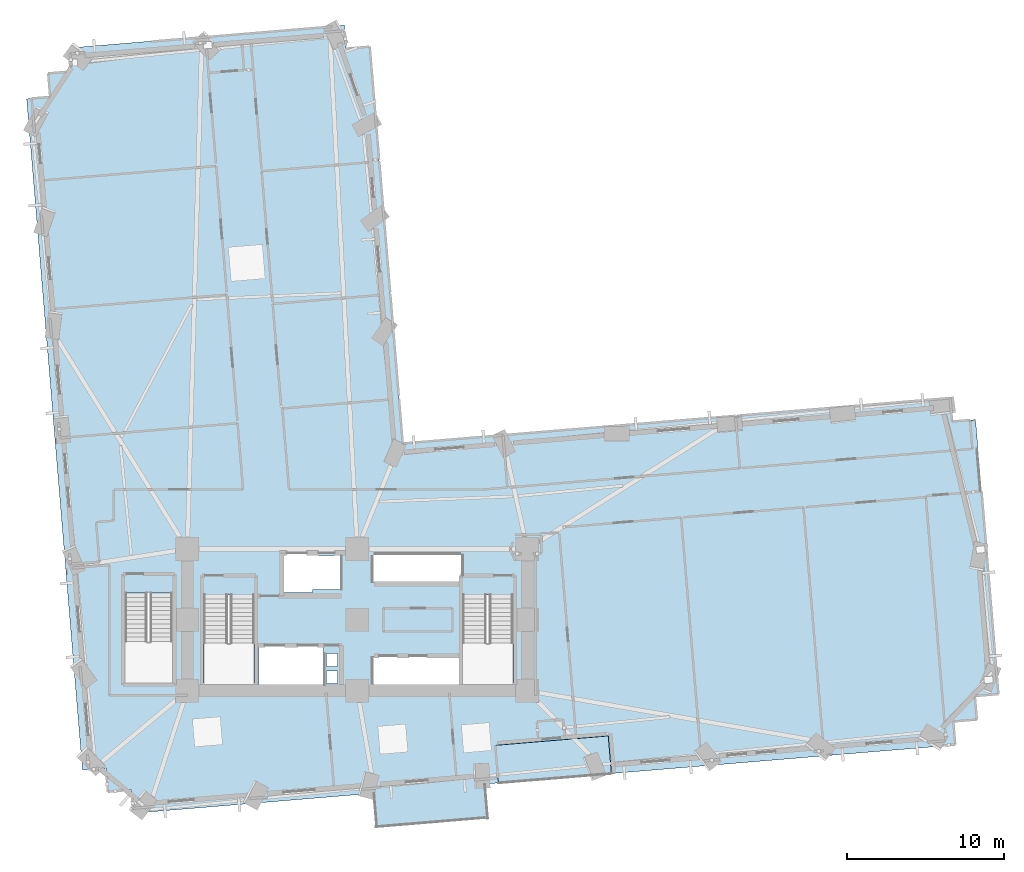
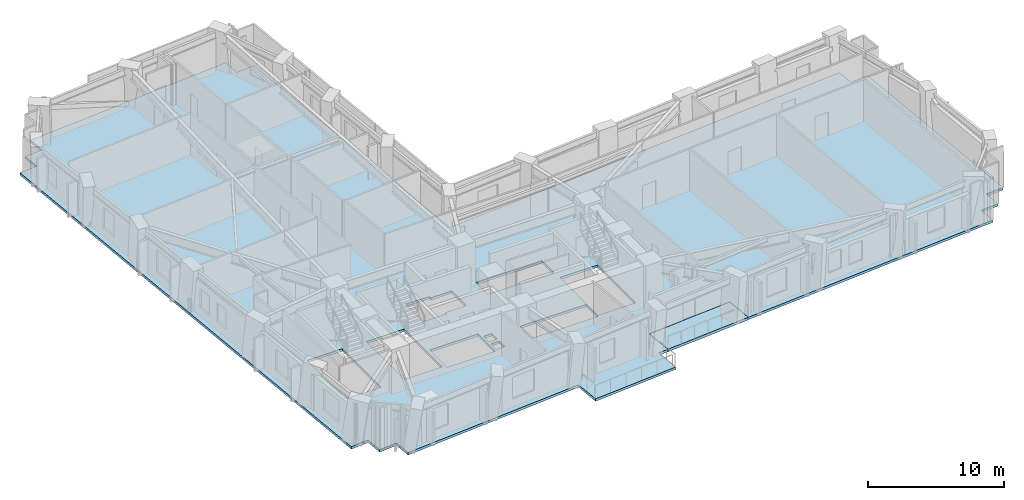
# One storey, part 4 of 14: 2 slabs.
"""IFC4 building model written with IfcOpenShell, lengths in metres."""

import ifcopenshell
import ifcopenshell.guid

model = None  # the IFC model being written
_history = None  # IfcOwnerHistory: only IFC2X3 demands one
_inside = {}  # id of a spatial element -> (the spatial element, [elements in it])
_under = {}  # id of a project, library or spatial element -> (it, [spatial elements below it])
_declared = {}  # id of a project -> (the project, [libraries it declares])
_typed = {}  # id of a type object -> (the type object, [elements of that type])
_made_of = {}  # id of a material, layer set ... -> (it, [elements and type objects made of it])


def new_model(schema):
    """Start an empty IFC model of exactly this schema.

    Asked for "IFC4X3", IfcOpenShell would pick the latest addendum, in which some entities
    have other attributes; the version numbers below select the first issue.
    IFC2X3 requires an IfcOwnerHistory on every rooted entity: one is made here for all.
    """
    global model, _history
    if schema == "IFC4X3":
        model = ifcopenshell.file(schema_version=(4, 3, 0, 0))
    else:
        model = ifcopenshell.file(schema=schema)
    _inside.clear()
    _under.clear()
    _declared.clear()
    _typed.clear()
    _made_of.clear()
    _history = None
    if model.schema == "IFC2X3":
        org = make("IfcOrganization", Name="unknown")
        user = make(
            "IfcPersonAndOrganization",
            ThePerson=make("IfcPerson", FamilyName="unknown"),
            TheOrganization=org,
        )
        app = make(
            "IfcApplication",
            ApplicationDeveloper=org,
            Version="unknown",
            ApplicationFullName="unknown",
            ApplicationIdentifier="unknown",
        )
        _history = make(
            "IfcOwnerHistory",
            OwningUser=user,
            OwningApplication=app,
            ChangeAction="ADDED",
            CreationDate=0,
        )
    return model


def make(cls, **values):
    """One entity of the class cls with the attributes given. An attribute that is None is left unset."""
    return model.create_entity(
        cls, **{name: value for name, value in values.items() if value is not None}
    )


def rooted(cls, **values):
    """An entity with a GlobalId (a new one), such as an element, a storey or a relation."""
    return make(cls, GlobalId=ifcopenshell.guid.new(), OwnerHistory=_history, **values)


def si_unit(unit_type, name, prefix=None):
    """IfcSIUnit, for example si_unit("LENGTHUNIT", "METRE", prefix="MILLI")."""
    return make("IfcSIUnit", UnitType=unit_type, Prefix=prefix, Name=name)


def assignment(units):
    """IfcUnitAssignment: the units of a project."""
    return None if units is None else make("IfcUnitAssignment", Units=units)


def point(xyz):
    """IfcCartesianPoint."""
    return None if xyz is None else make("IfcCartesianPoint", Coordinates=xyz)


def direction(xyz):
    """IfcDirection."""
    return None if xyz is None else make("IfcDirection", DirectionRatios=xyz)


def frame(location, z_axis=None, x_axis=None):
    """IfcAxis2Placement3D, a coordinate frame: its origin and axes. An axis left out is left unset."""
    return make(
        "IfcAxis2Placement3D",
        Location=point(location),
        Axis=direction(z_axis),
        RefDirection=direction(x_axis),
    )


def origin():
    """The frame at (0, 0, 0) with its axes left unset."""
    return frame((0.0, 0.0, 0.0))


def place(relative_to, where):
    """IfcLocalPlacement: puts the frame where relative to a parent placement (None: the world)."""
    return make(
        "IfcLocalPlacement", PlacementRelTo=relative_to, RelativePlacement=where
    )


def context(
    kind, dimensions, precision=None, world=None, true_north=None, identifier=None
):
    """IfcGeometricRepresentationContext, for example the 3D "Model" context."""
    return make(
        "IfcGeometricRepresentationContext",
        ContextIdentifier=identifier,
        ContextType=kind,
        CoordinateSpaceDimension=dimensions,
        Precision=precision,
        WorldCoordinateSystem=world,
        TrueNorth=true_north,
    )


def subcontext(parent, identifier, kind, view, scale=None):
    """IfcGeometricRepresentationSubContext, for example "Body" below "Model"."""
    return make(
        "IfcGeometricRepresentationSubContext",
        ContextIdentifier=identifier,
        ContextType=kind,
        ParentContext=parent,
        TargetScale=scale,
        TargetView=view,
    )


def project(units=None, contexts=None):
    """IfcProject with its units and contexts."""
    return rooted(
        "IfcProject",
        Name="project",
        RepresentationContexts=contexts,
        UnitsInContext=assignment(units),
    )


def spatial(cls, under=None, at=None, **own):
    """A site, building, storey or space (cls), placed at a placement, below another one or the project."""
    s = rooted(cls, ObjectPlacement=at, **own)
    if under is not None:
        _under.setdefault(under.id(), (under, []))[1].append(s)
    return s


def polyline(points):
    """IfcPolyline through the points."""
    return make("IfcPolyline", Points=[point(p) for p in points])


def outline(outer, holes=None, kind="AREA"):
    """IfcArbitraryClosedProfileDef: a profile drawn as a closed curve; with holes, ...WithVoids."""
    if holes is None:
        return make("IfcArbitraryClosedProfileDef", ProfileType=kind, OuterCurve=outer)
    return make(
        "IfcArbitraryProfileDefWithVoids",
        ProfileType=kind,
        OuterCurve=outer,
        InnerCurves=holes,
    )


def extrude(swept, where, along, depth):
    """IfcExtrudedAreaSolid: the profile swept, set in the frame where, extruded along a direction by depth."""
    return make(
        "IfcExtrudedAreaSolid",
        SweptArea=swept,
        Position=where,
        ExtrudedDirection=direction(along),
        Depth=depth,
    )


def shape(context_of_items, identifier, shape_type, items):
    """IfcShapeRepresentation: the items that make up one representation, for example the "Body"."""
    return make(
        "IfcShapeRepresentation",
        ContextOfItems=context_of_items,
        RepresentationIdentifier=identifier,
        RepresentationType=shape_type,
        Items=items,
    )


def material(Name=None, Category=None):
    """IfcMaterial."""
    return make("IfcMaterial", Name=Name, Category=Category)


def layer(
    of_material, thickness, ventilated=None, Name=None, Category=None, Priority=None
):
    """IfcMaterialLayer: one layer of a wall or slab, of a material (None: an air gap)."""
    return make(
        "IfcMaterialLayer",
        Material=of_material,
        LayerThickness=thickness,
        IsVentilated=ventilated,
        Name=Name,
        Category=Category,
        Priority=Priority,
    )


def layer_set(layers, Name=None):
    """IfcMaterialLayerSet."""
    return make("IfcMaterialLayerSet", MaterialLayers=layers, LayerSetName=Name)


def made_of(thing, what):
    """Note that an element or type object is made of a material, layer set ...; save() writes the relation."""
    if what is not None:
        _made_of.setdefault(what.id(), (what, []))[1].append(thing)
    return thing


def type_object(cls, material=None, **own):
    """A type object (cls), such as IfcWallType, which elements share."""
    return made_of(rooted(cls, **own), material)


def element(
    cls,
    number,
    at=None,
    inside=None,
    cuts=None,
    type_object=None,
    material=None,
    context=None,
    identifier="Body",
    shape_type=None,
    held_by="IfcProductDefinitionShape",
    body=None,
    shapes=None,
    **own,
):
    """One element of the class cls, such as IfcWall. Its Tag is "e" and its number.

    at: its placement. inside: the storey or other place that contains it. cuts: it is an
    opening in that element (IfcRelVoidsElement). A single representation is given by context,
    identifier, shape_type and body (its items); several are given by shapes. held_by: the class
    of the entity that holds the representations. save() writes the other relations.
    """
    e = rooted(cls, Tag="e%d" % number, ObjectPlacement=at, **own)
    if body is not None:
        shapes = [shape(context, identifier, shape_type, body)]
    if shapes is not None:
        e.Representation = make(held_by, Representations=shapes)
    if inside is not None:
        _inside.setdefault(inside.id(), (inside, []))[1].append(e)
    if cuts is not None:
        rooted(
            "IfcRelVoidsElement", RelatingBuildingElement=cuts, RelatedOpeningElement=e
        )
    if type_object is not None:
        _typed.setdefault(type_object.id(), (type_object, []))[1].append(e)
    return made_of(e, material)


def aggregate(whole, parts):
    """IfcRelAggregates: a whole, such as a stair, and the parts it consists of."""
    return rooted("IfcRelAggregates", RelatingObject=whole, RelatedObjects=parts)


def save(model, path):
    """Write the relations noted so far, then the file.

    IfcRelAggregates (storeys below a building ...), IfcRelContainedInSpatialStructure (elements
    in a storey), IfcRelDefinesByType, IfcRelAssociatesMaterial and IfcRelDeclares: one each for
    every whole, place, type object, material and project.
    """
    for whole, parts in _under.values():
        aggregate(whole, parts)
    for where, things in _inside.values():
        rooted(
            "IfcRelContainedInSpatialStructure",
            RelatedElements=things,
            RelatingStructure=where,
        )
    for kind, things in _typed.values():
        rooted("IfcRelDefinesByType", RelatedObjects=things, RelatingType=kind)
    for what, things in _made_of.values():
        rooted("IfcRelAssociatesMaterial", RelatedObjects=things, RelatingMaterial=what)
    for by, libraries in _declared.values():
        rooted("IfcRelDeclares", RelatingContext=by, RelatedDefinitions=libraries)
    model.write(path)


model = new_model("IFC4")

# Units and contexts
model_context = context("Model", 3, precision=1e-05, world=origin(), true_north=direction((0.0, 1.0)))
body_context = subcontext(model_context, "Body", "Model", "MODEL_VIEW")
ifc_project = project(units=[si_unit("LENGTHUNIT", "METRE"), si_unit("AREAUNIT", "SQUARE_METRE"), si_unit("VOLUMEUNIT", "CUBIC_METRE"), si_unit("PLANEANGLEUNIT", "RADIAN"), si_unit("MASSUNIT", "GRAM", prefix="KILO")], contexts=[model_context])

# Site, building, storey
site_placement = place(None, origin())
site = spatial("IfcSite", under=ifc_project, at=site_placement, CompositionType="ELEMENT")
building_placement = place(site_placement, origin())
building = spatial("IfcBuilding", under=site, at=building_placement, Name="Gaonmaruhae Medical Tower", CompositionType="ELEMENT")
storey_placement = place(building_placement, frame((0.0, 0.0, 43.0)))
storey = spatial("IfcBuildingStorey", under=building, at=storey_placement, Name="L09", CompositionType="ELEMENT", Elevation=43.0)

# Slabs
ifc_material = material(Name="Concrete C40/50", Category="concrete")
ifc_layer_1 = layer(ifc_material, 0.219970703125)
ifc_layer_set_1 = layer_set([ifc_layer_1], Name="Concrete C40/50")
slab_type_1 = type_object("IfcSlabType", Name="FS-220 Clinical Ward Composite Floor Slab", PredefinedType="FLOOR", material=ifc_layer_set_1)
slab_1_placement = place(storey_placement, frame((0.0, 0.0, -0.219970703125)))
element("IfcSlab", 1, at=slab_1_placement, inside=storey, type_object=slab_type_1, Name="L09 Structural Slab 1", PredefinedType="FLOOR", context=body_context, shape_type="SweptSolid", body=[
    extrude(outline(polyline([(10.44970703125, 1.5029296875), (8.954833984375, 1.378662109375), (8.83056640625, 2.87353515625), (7.335693359375, 2.74951171875), (3.79150390625, 45.40234375), (5.286376953125, 45.526611328125), (5.162109375, 47.021484375), (6.656982421875, 47.1455078125), (6.53271484375, 48.640380859375), (23.97265625, 50.089599609375), (24.096923828125, 48.5947265625), (25.591796875, 48.718994140625), (27.68701171875, 23.505859375), (62.467041015625, 26.39599609375), (62.59130859375, 24.901123046875), (64.086181640625, 25.025390625), (65.53515625, 7.58544921875), (64.040283203125, 7.461181640625), (64.16455078125, 5.96630859375), (62.669677734375, 5.842041015625), (62.7939453125, 4.347412109375), (40.944091796875, 2.53173828125), (40.74560546875, 4.92333984375), (33.5703125, 4.3271484375), (33.76904296875, 1.935546875), (32.9716796875, 1.869140625), (33.15380859375, -0.3232421875), (25.978515625, -0.91943359375), (25.79638671875, 1.27294921875), (10.573974609375, 0.008056640625), (10.44970703125, 1.5029296875)]), holes=[polyline([(23.550048828125, 8.25), (22.85009765625, 8.25), (22.85009765625, 9.050048828125), (23.550048828125, 9.050048828125), (23.550048828125, 8.25)]), polyline([(25.824951171875, 9.925048828125), (31.425048828125, 9.925048828125), (31.425048828125, 8.175048828125), (25.824951171875, 8.175048828125), (25.824951171875, 9.925048828125)]), polyline([(22.64990234375, 10.625), (22.64990234375, 8.074951171875), (18.550048828125, 8.074951171875), (18.550048828125, 10.625), (22.64990234375, 10.625)]), polyline([(23.550048828125, 9.35009765625), (22.85009765625, 9.35009765625), (22.85009765625, 10.14990234375), (23.550048828125, 10.14990234375), (23.550048828125, 9.35009765625)]), polyline([(15.050048828125, 13.889892578125), (18.25, 13.889892578125), (18.25, 8.300048828125), (15.050048828125, 8.300048828125), (15.050048828125, 13.889892578125)]), polyline([(31.5, 13.889892578125), (34.699951171875, 13.889892578125), (34.699951171875, 8.300048828125), (31.5, 8.300048828125), (31.5, 13.889892578125)]), polyline([(10.050048828125, 13.989990234375), (13.050048828125, 13.989990234375), (13.050048828125, 8.300048828125), (10.050048828125, 8.300048828125), (10.050048828125, 13.989990234375)]), polyline([(21.949951171875, 14.02490234375), (19.949951171875, 14.02490234375), (19.949951171875, 16.574951171875), (21.949951171875, 16.574951171875), (21.949951171875, 16.375), (23.72509765625, 16.375), (23.72509765625, 14.22509765625), (21.949951171875, 14.22509765625), (21.949951171875, 14.02490234375)]), polyline([(31.425048828125, 16.425048828125), (31.425048828125, 14.675048828125), (25.824951171875, 14.675048828125), (25.824951171875, 16.425048828125), (31.425048828125, 16.425048828125)])]), origin(), (0.0, 0.0, 1.0), 0.219970703125),
])
ifc_layer_2 = layer(ifc_material, 0.239990234375)
ifc_layer_set_2 = layer_set([ifc_layer_2], Name="Concrete C40/50")
slab_type_2 = type_object("IfcSlabType", Name="TS-240 Sky Garden & Recovery Terrace Slab", PredefinedType="FLOOR", material=ifc_layer_set_2)
slab_2_placement = place(storey_placement, frame((0.0, 0.0, -0.239990234375)))
element("IfcSlab", 2, at=slab_2_placement, inside=storey, type_object=slab_type_2, Name="L09 Outdoor Recovery Terrace Slab", PredefinedType="FLOOR", context=body_context, shape_type="SweptSolid", body=[
    extrude(outline(polyline([(33.76904296875, 1.935546875), (40.9443359375, 2.53173828125), (40.74560546875, 4.92333984375), (33.5703125, 4.3271484375), (33.76904296875, 1.935546875)])), origin(), (0.0, 0.0, 1.0), 0.239990234375),
])

save(model, "model.ifc")
